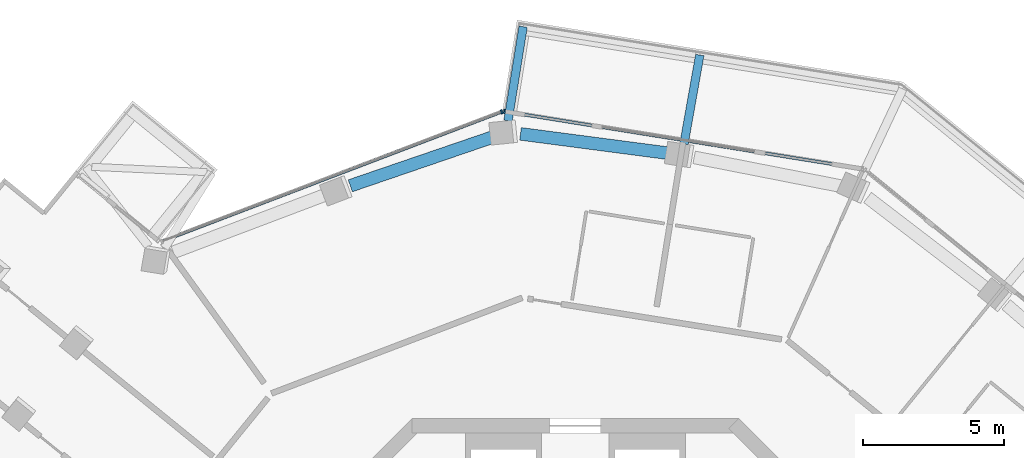
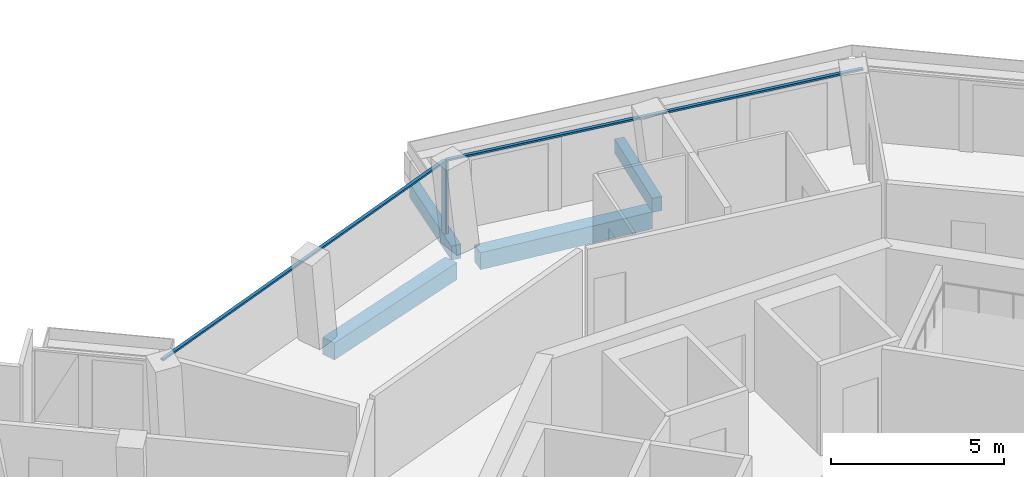
# One storey, part 7 of 23: 4 beams, 4 members, 2 elements without a shape of their own.
"""IFC4 building model written with IfcOpenShell, lengths in metres."""

from ifc_helpers import new_model, si_unit, direction, frame, origin, origin_2d, place, context, subcontext, project, spatial, rectangle, extrude, material, layer, layer_set, material_profile, profile_set, type_object, element, aggregate, save


model = new_model("IFC4")

# Units and contexts
model_context = context("Model", 3, precision=1e-05, world=origin(), true_north=direction((0.0, 1.0)))
body_context = subcontext(model_context, "Body", "Model", "MODEL_VIEW")
ifc_project = project(units=[si_unit("LENGTHUNIT", "METRE"), si_unit("AREAUNIT", "SQUARE_METRE"), si_unit("VOLUMEUNIT", "CUBIC_METRE"), si_unit("PLANEANGLEUNIT", "RADIAN"), si_unit("MASSUNIT", "GRAM", prefix="KILO")], contexts=[model_context])

# Site, building, storey
site_placement = place(None, origin())
site = spatial("IfcSite", under=ifc_project, at=site_placement, CompositionType="ELEMENT")
building_placement = place(site_placement, origin())
building = spatial("IfcBuilding", under=site, at=building_placement, Name="Verdalira Terraces Hotel", CompositionType="ELEMENT")
storey_placement = place(building_placement, frame((0.0, 0.0, 241.0)))
storey = spatial("IfcBuildingStorey", under=building, at=storey_placement, Name="L59", CompositionType="ELEMENT", Elevation=241.0)

# Beams
ifc_material_1 = material(Name="Concrete C40", Category="concrete")
ifc_material_profile_1 = material_profile(ifc_material_1, rectangle(XDim=0.300049, YDim=0.5, at=origin_2d()), Name="RC 300X500")
ifc_profile_set_1 = profile_set([ifc_material_profile_1], Name="Concrete C40")
beam_type_1 = type_object("IfcBeamType", Name="Balcony cantilever beam RC 300X500 C40", PredefinedType="BEAM", material=ifc_profile_set_1)
beam_1_placement = place(storey_placement, frame((3.854492, 23.747314, -0.560059), z_axis=(0.175051408, 0.984559294, 0.0), x_axis=(-0.984559294, 0.175051408, 0.0)))
element("IfcBeam", 1, at=beam_1_placement, inside=storey, type_object=beam_type_1, Name="Balcony cantilever beam R39-4", PredefinedType="BEAM", context=body_context, shape_type="SweptSolid", body=[
    extrude(rectangle(XDim=0.300049, YDim=0.5, at=origin_2d()), origin(), (0.0, 0.0, 1.0), 3.200684),
])
beam_2_placement = place(storey_placement, frame((-2.386719, 24.568604, -0.560059), z_axis=(0.158466769, 0.987364311, 0.0), x_axis=(-0.987364311, 0.158466769, 0.0)))
element("IfcBeam", 2, at=beam_2_placement, inside=storey, type_object=beam_type_1, Name="Balcony cantilever beam R39-5", PredefinedType="BEAM", context=body_context, shape_type="SweptSolid", body=[
    extrude(rectangle(XDim=0.300049, YDim=0.5, at=origin_2d()), origin(), (0.0, 0.0, 1.0), 3.378662),
])

# Curtain wall, member
ifc_material_2 = material(Name="Clear glass", Category="glass")
ifc_layer = layer(ifc_material_2, 0.14990234375)
ifc_layer_set = layer_set([ifc_layer], Name="CW1 curtain wall")
curtain_wall_type = type_object("IfcCurtainWallType", Name="CW1 curtain wall", PredefinedType="NOTDEFINED", material=ifc_layer_set)
curtain_wall_1_placement = place(storey_placement, origin())
curtain_wall_1 = element("IfcCurtainWall", 3, at=curtain_wall_1_placement, inside=storey, type_object=curtain_wall_type, Name="CW1 curtain wall L59 edge 40", PredefinedType="NOTDEFINED")
ifc_material_3 = material(Name="Terracotta frame", Category="masonry")
ifc_material_profile_2 = material_profile(ifc_material_3, rectangle(XDim=0.060059, YDim=0.149902, at=origin_2d()), Name="MU 60x150")
ifc_profile_set_2 = profile_set([ifc_material_profile_2], Name="Terracotta frame")
member_type_1 = type_object("IfcMemberType", Name="CW1 mullion 60x150", PredefinedType="MULLION", material=ifc_profile_set_2)
member_1_placement = place(storey_placement, frame((-2.515381, 24.896729, 0.0), z_axis=(0.0, 0.0, 1.0), x_axis=(-0.987358539, 0.15850273, 0.0)))
member_1 = element("IfcMember", 4, at=member_1_placement, type_object=member_type_1, Name="CW1 mullion", PredefinedType="MULLION", context=body_context, shape_type="SweptSolid", body=[
    extrude(rectangle(XDim=0.060059, YDim=0.149902, at=origin_2d()), origin(), (0.0, 0.0, 1.0), 2.524902),
])

curtain_wall_2_placement = place(storey_placement, origin())
curtain_wall_2 = element("IfcCurtainWall", 5, at=curtain_wall_2_placement, inside=storey, type_object=curtain_wall_type, Name="CW1 curtain wall L59 edge 41", PredefinedType="NOTDEFINED")
member_2_placement = place(storey_placement, frame((-2.611572, 24.886963, 0.0), z_axis=(0.0, 0.0, 1.0), x_axis=(-0.934328942, -0.356411879, 0.0)))
member_2 = element("IfcMember", 6, at=member_2_placement, type_object=member_type_1, Name="CW1 mullion", PredefinedType="MULLION", context=body_context, shape_type="SweptSolid", body=[
    extrude(rectangle(XDim=0.060059, YDim=0.149902, at=origin_2d()), origin(), (0.0, 0.0, 1.0), 2.524902),
])

# Member
ifc_material_4 = material(Name="Terracotta frame", Category="masonry")
ifc_material_profile_3 = material_profile(ifc_material_4, rectangle(XDim=0.110107, YDim=0.064941, at=origin_2d()), Name="TR 65x110")
ifc_profile_set_3 = profile_set([ifc_material_profile_3], Name="Terracotta frame")
member_type_2 = type_object("IfcMemberType", Name="CW1 transom 65x110", PredefinedType="USERDEFINED", material=ifc_profile_set_3)
member_3_placement = place(storey_placement, frame((10.211182, 22.85376, 2.557617), z_axis=(-0.987357478, 0.15850934, 0.0), x_axis=(-0.15850934, -0.987357478, 0.0)))
member_3 = element("IfcMember", 7, at=member_3_placement, type_object=member_type_2, Name="CW1 transom", ObjectType="TRANSOM", PredefinedType="USERDEFINED", context=body_context, shape_type="SweptSolid", body=[
    extrude(rectangle(XDim=0.110107, YDim=0.064941, at=origin_2d()), origin(), (0.0, 0.0, 1.0), 12.919434),
])

aggregate(curtain_wall_1, [member_1, member_3])

member_4_placement = place(storey_placement, frame((-2.58374, 24.897461, 2.557617), z_axis=(-0.934331566, -0.356405002, 0.0), x_axis=(0.356405002, -0.934331566, 0.0)))
member_4 = element("IfcMember", 8, at=member_4_placement, type_object=member_type_2, Name="CW1 transom", ObjectType="TRANSOM", PredefinedType="USERDEFINED", context=body_context, shape_type="SweptSolid", body=[
    extrude(rectangle(XDim=0.110107, YDim=0.064941, at=origin_2d()), origin(), (0.0, 0.0, 1.0), 12.959717),
])

aggregate(curtain_wall_2, [member_2, member_4])

# Beams
ifc_material_5 = material(Name="Concrete C40", Category="concrete")
ifc_material_profile_4 = material_profile(ifc_material_5, rectangle(XDim=0.449951, YDim=0.600098, at=origin_2d()), Name="RC 450X600")
ifc_profile_set_4 = profile_set([ifc_material_profile_4], Name="Concrete C40")
beam_type_2 = type_object("IfcBeamType", Name="Spandrel beam RC 450X600 C40", PredefinedType="SPANDREL", material=ifc_profile_set_4)
beam_3_placement = place(storey_placement, frame((3.403809, 23.4021, -0.610107), z_axis=(-0.991528078, 0.129892532, 0.0), x_axis=(-0.129892532, -0.991528078, 0.0)))
element("IfcBeam", 9, at=beam_3_placement, inside=storey, type_object=beam_type_2, Name="Spandrel beam B21", PredefinedType="SPANDREL", context=body_context, shape_type="SweptSolid", body=[
    extrude(rectangle(XDim=0.449951, YDim=0.600098, at=origin_2d()), origin(), (0.0, 0.0, 1.0), 5.394287),
])
beam_4_placement = place(storey_placement, frame((-2.875977, 24.007812, -0.610107), z_axis=(-0.946138096, -0.323763345, 0.0), x_axis=(0.323763345, -0.946138096, 0.0)))
element("IfcBeam", 10, at=beam_4_placement, inside=storey, type_object=beam_type_2, Name="Spandrel beam B22", PredefinedType="SPANDREL", context=body_context, shape_type="SweptSolid", body=[
    extrude(rectangle(XDim=0.449951, YDim=0.600098, at=origin_2d()), origin(), (0.0, 0.0, 1.0), 5.396973),
])

save(model, "model.ifc")
